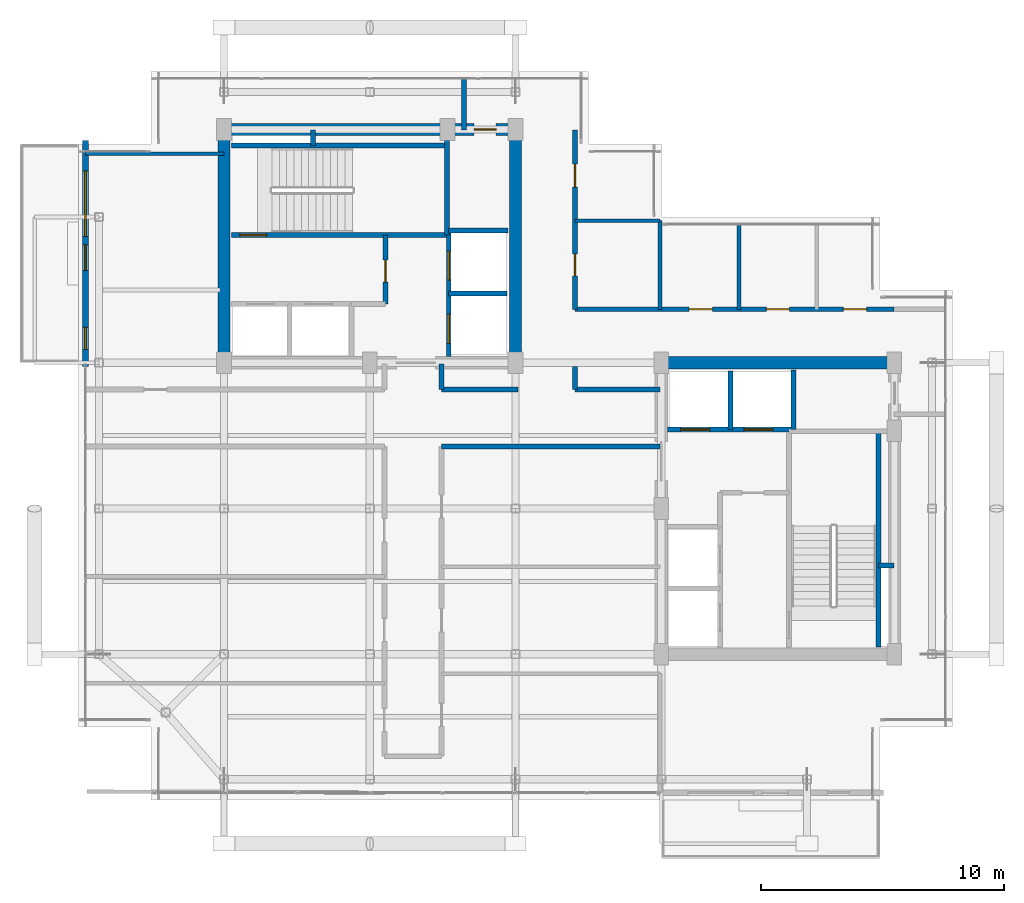
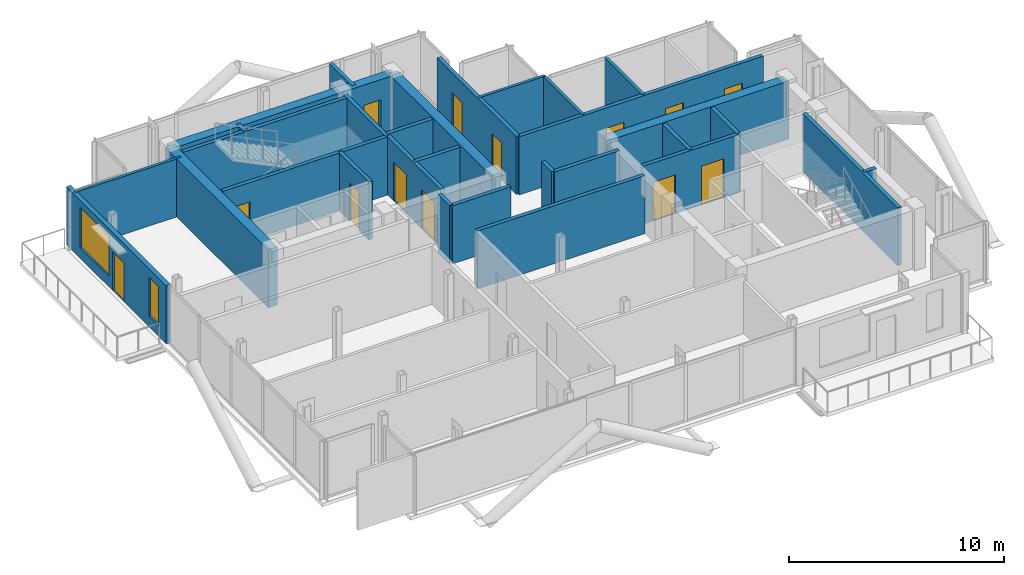
# One storey, part 16 of 19: 30 walls, 13 doors, 2 windows, 15 openings.
"""IFC4 building model written with IfcOpenShell, lengths in metres."""

from ifc_helpers import new_model, si_unit, direction, frame, frame_2d, origin, place, context, subcontext, project, spatial, rectangle, extrude, material, layer, layer_set, type_object, element, fill, save


model = new_model("IFC4")

# Units and contexts
model_context = context("Model", 3, precision=1e-05, world=origin(), true_north=direction((0.0, 1.0)))
body_context = subcontext(model_context, "Body", "Model", "MODEL_VIEW")
ifc_project = project(units=[si_unit("LENGTHUNIT", "METRE"), si_unit("AREAUNIT", "SQUARE_METRE"), si_unit("VOLUMEUNIT", "CUBIC_METRE"), si_unit("PLANEANGLEUNIT", "RADIAN"), si_unit("MASSUNIT", "GRAM", prefix="KILO"), si_unit("THERMODYNAMICTEMPERATUREUNIT", "KELVIN"), si_unit("POWERUNIT", "WATT")], contexts=[model_context])

# Site, building, storey
site_placement = place(None, origin())
site = spatial("IfcSite", under=ifc_project, at=site_placement, CompositionType="ELEMENT")
building_placement = place(site_placement, origin())
building = spatial("IfcBuilding", under=site, at=building_placement, Name="Svarakhadi Broadcast Tower", CompositionType="ELEMENT")
storey_placement = place(building_placement, frame((0.0, 0.0, 271.199951171875)))
storey = spatial("IfcBuildingStorey", under=building, at=storey_placement, Name="L68", CompositionType="ELEMENT", Elevation=271.199951171875)

# Walls
ifc_material_1 = material(Name="Double-Stud Acoustic Studio Partition STC-62", Category="gypsum")
ifc_layer_1 = layer(ifc_material_1, 0.199951171875)
ifc_layer_set_1 = layer_set([ifc_layer_1], Name="Double-Stud Acoustic Studio Partition STC-62")
wall_type_1 = type_object("IfcWallType", Name="Wall_Acoust_200", PredefinedType="PARTITIONING", material=ifc_layer_set_1)
wall_1_placement = place(storey_placement, frame((14.949951171875, 17.949951171875, 0.0), z_axis=(0.0, 0.0, 1.0), x_axis=(0.0, -1.0, 0.0)))
element("IfcWall", 1, at=wall_1_placement, inside=storey, type_object=wall_type_1, Name="L68 Upper Tower Concourse Wall", PredefinedType="PARTITIONING", context=body_context, shape_type="SweptSolid", body=[
    extrude(rectangle(XDim=1.050048828125, YDim=0.199951171875, at=frame_2d((0.52490234375, 0.0))), origin(), (0.0, 0.0, 1.0), 3.300048828125),
])
wall_2_placement = place(storey_placement, frame((14.949951171875, 16.89990234375, 0.0), z_axis=(0.0, 0.0, 1.0), x_axis=(1.0, 0.0, 0.0)))
element("IfcWall", 2, at=wall_2_placement, inside=storey, type_object=wall_type_1, Name="L68 Upper Tower Concourse Wall", PredefinedType="PARTITIONING", context=body_context, shape_type="SweptSolid", body=[
    extrude(rectangle(XDim=3.150146484375, YDim=0.199951171875, at=frame_2d((1.5751953125, 0.0))), origin(), (0.0, 0.0, 1.0), 3.300048828125),
])
wall_3_placement = place(storey_placement, frame((15.8798828125, 27.580078125, 0.0), z_axis=(0.0, 0.0, 1.0), x_axis=(0.0, 1.0, 0.0)))
element("IfcWall", 3, at=wall_3_placement, inside=storey, type_object=wall_type_1, Name="L68 Upper Tower Concourse Wall", PredefinedType="PARTITIONING", context=body_context, shape_type="SweptSolid", body=[
    extrude(rectangle(XDim=2.119873046875, YDim=0.199951171875, at=frame_2d((1.06005859375, 0.0))), origin(), (0.0, 0.0, 1.0), 3.300048828125),
])

# Wall, openings, doors
wall_4_placement = place(storey_placement, frame((20.449951171875, 27.580078125, 0.0), z_axis=(0.0, 0.0, 1.0), x_axis=(0.0, -1.0, 0.0)))
wall_4 = element("IfcWall", 4, at=wall_4_placement, inside=storey, type_object=wall_type_1, Name="L68 Upper Tower Concourse Wall", PredefinedType="PARTITIONING", context=body_context, shape_type="SweptSolid", body=[
    extrude(rectangle(XDim=7.380126953125, YDim=0.199951171875, at=frame_2d((3.68994140625, 0.0))), origin(), (0.0, 0.0, 1.0), 3.300048828125),
])
opening_1_placement = place(wall_4_placement, frame((5.10498046875, 0.0, 0.0)))
opening_1 = element("IfcOpeningElement", 5, at=opening_1_placement, cuts=wall_4, Name="Opening D-13", PredefinedType="OPENING", context=body_context, shape_type="SweptSolid", body=[
    extrude(rectangle(XDim=0.89990234375, YDim=2.10009765625, at=frame_2d((0.449951171875, 1.050048828125))), frame((0.0, 0.10986328125, 0.0), z_axis=(0.0, -1.0, 0.0), x_axis=(1.0, 0.0, 0.0)), (0.0, 0.0, 1.0), 0.219970703125),
])
opening_2_placement = place(wall_4_placement, frame((1.405029296875, 0.0, 0.0)))
opening_2 = element("IfcOpeningElement", 6, at=opening_2_placement, cuts=wall_4, Name="Opening D-06", PredefinedType="OPENING", context=body_context, shape_type="SweptSolid", body=[
    extrude(rectangle(XDim=0.949951171875, YDim=2.14990234375, at=frame_2d((0.47509765625, 1.074951171875))), frame((0.0, 0.10986328125, 0.0), z_axis=(0.0, -1.0, 0.0), x_axis=(1.0, 0.0, 0.0)), (0.0, 0.0, 1.0), 0.219970703125),
])
ifc_material_2 = material(Name="Solid-Core Teak Veneer Acoustic Timber Leaf", Category="wood")
door_type_1 = type_object("IfcDoorType", Name="Door_Closet_D13", OperationType="SINGLE_SWING_RIGHT", PredefinedType="DOOR", material=ifc_material_2)
door_1_placement = place(opening_1_placement, origin())
door_1 = element("IfcDoor", 7, at=door_1_placement, inside=storey, type_object=door_type_1, Name="L68 Accessible Visitor Washroom WC Door", OperationType="SINGLE_SWING_RIGHT", OverallHeight=2.10009765625, OverallWidth=0.89990234375, PredefinedType="DOOR", context=body_context, shape_type="SweptSolid", body=[
    extrude(rectangle(XDim=0.89990234375, YDim=2.10009765625, at=frame_2d((0.449951171875, 1.050048828125))), frame((0.0, 0.02490234375, 0.0), z_axis=(0.0, -1.0, 0.0), x_axis=(1.0, 0.0, 0.0)), (0.0, 0.0, 1.0), 0.050048828125),
])
fill(opening_1, door_1)
door_type_2 = type_object("IfcDoorType", Name="Door_Office_D06", OperationType="SINGLE_SWING_LEFT", PredefinedType="DOOR", material=ifc_material_2)
door_2_placement = place(opening_2_placement, origin())
door_2 = element("IfcDoor", 8, at=door_2_placement, inside=storey, type_object=door_type_2, Name="L68 Hotel Butler Service Pantry Door", OperationType="SINGLE_SWING_LEFT", OverallHeight=2.14990234375, OverallWidth=0.949951171875, PredefinedType="DOOR", context=body_context, shape_type="SweptSolid", body=[
    extrude(rectangle(XDim=0.949951171875, YDim=2.14990234375, at=frame_2d((0.47509765625, 1.074951171875))), frame((0.0, 0.02490234375, 0.0), z_axis=(0.0, -1.0, 0.0), x_axis=(1.0, 0.0, 0.0)), (0.0, 0.0, 1.0), 0.050048828125),
])
fill(opening_2, door_2)

wall_5_placement = place(storey_placement, frame((20.449951171875, 20.199951171875, 0.0), z_axis=(0.0, 0.0, 1.0), x_axis=(1.0, 0.0, 0.0)))
wall_5 = element("IfcWall", 9, at=wall_5_placement, inside=storey, type_object=wall_type_1, Name="L68 Upper Tower Concourse Wall", PredefinedType="PARTITIONING", context=body_context, shape_type="SweptSolid", body=[
    extrude(rectangle(XDim=13.130126953125, YDim=0.199951171875, at=frame_2d((6.56494140625, 0.0))), origin(), (0.0, 0.0, 1.0), 3.300048828125),
])
opening_3_placement = place(wall_5_placement, frame((4.699951171875, 0.0, 0.0)))
opening_3 = element("IfcOpeningElement", 10, at=opening_3_placement, cuts=wall_5, Name="Opening D-07", PredefinedType="OPENING", context=body_context, shape_type="SweptSolid", body=[
    extrude(rectangle(XDim=0.949951171875, YDim=2.14990234375, at=frame_2d((0.47509765625, 1.074951171875))), frame((0.0, 0.10986328125, 0.0), z_axis=(0.0, -1.0, 0.0), x_axis=(1.0, 0.0, 0.0)), (0.0, 0.0, 1.0), 0.219970703125),
])
opening_4_placement = place(wall_5_placement, frame((7.875, 0.0, 0.0)))
opening_4 = element("IfcOpeningElement", 11, at=opening_4_placement, cuts=wall_5, Name="Opening D-06", PredefinedType="OPENING", context=body_context, shape_type="SweptSolid", body=[
    extrude(rectangle(XDim=0.949951171875, YDim=2.14990234375, at=frame_2d((0.47509765625, 1.074951171875))), frame((0.0, 0.10986328125, 0.0), z_axis=(0.0, -1.0, 0.0), x_axis=(1.0, 0.0, 0.0)), (0.0, 0.0, 1.0), 0.219970703125),
])
opening_5_placement = place(wall_5_placement, frame((11.050048828125, 0.0, 0.0)))
opening_5 = element("IfcOpeningElement", 12, at=opening_5_placement, cuts=wall_5, Name="Opening D-07", PredefinedType="OPENING", context=body_context, shape_type="SweptSolid", body=[
    extrude(rectangle(XDim=0.949951171875, YDim=2.14990234375, at=frame_2d((0.47509765625, 1.074951171875))), frame((0.0, 0.10986328125, 0.0), z_axis=(0.0, -1.0, 0.0), x_axis=(1.0, 0.0, 0.0)), (0.0, 0.0, 1.0), 0.219970703125),
])
door_3_placement = place(opening_4_placement, origin())
door_3 = element("IfcDoor", 13, at=door_3_placement, inside=storey, type_object=door_type_2, Name="L68 Private Sommelier Tasting Pantry Door", OperationType="SINGLE_SWING_LEFT", OverallHeight=2.14990234375, OverallWidth=0.949951171875, PredefinedType="DOOR", context=body_context, shape_type="SweptSolid", body=[
    extrude(rectangle(XDim=0.949951171875, YDim=2.14990234375, at=frame_2d((0.47509765625, 1.074951171875))), frame((0.0, 0.02490234375, 0.0), z_axis=(0.0, -1.0, 0.0), x_axis=(1.0, 0.0, 0.0)), (0.0, 0.0, 1.0), 0.050048828125),
])
fill(opening_4, door_3)
door_type_3 = type_object("IfcDoorType", Name="Door_Office_D07", OperationType="SINGLE_SWING_RIGHT", PredefinedType="DOOR", material=ifc_material_2)
door_4_placement = place(opening_3_placement, origin())
door_4 = element("IfcDoor", 14, at=door_4_placement, inside=storey, type_object=door_type_3, Name="L68 Harbour Sky Club Reading Room Door", OperationType="SINGLE_SWING_RIGHT", OverallHeight=2.14990234375, OverallWidth=0.949951171875, PredefinedType="DOOR", context=body_context, shape_type="SweptSolid", body=[
    extrude(rectangle(XDim=0.949951171875, YDim=2.14990234375, at=frame_2d((0.47509765625, 1.074951171875))), frame((0.0, 0.02490234375, 0.0), z_axis=(0.0, -1.0, 0.0), x_axis=(1.0, 0.0, 0.0)), (0.0, 0.0, 1.0), 0.050048828125),
])
fill(opening_3, door_4)
door_5_placement = place(opening_5_placement, origin())
door_5 = element("IfcDoor", 15, at=door_5_placement, inside=storey, type_object=door_type_3, Name="L68 VIP Guest Concierge Office Door", OperationType="SINGLE_SWING_RIGHT", OverallHeight=2.14990234375, OverallWidth=0.949951171875, PredefinedType="DOOR", context=body_context, shape_type="SweptSolid", body=[
    extrude(rectangle(XDim=0.949951171875, YDim=2.14990234375, at=frame_2d((0.47509765625, 1.074951171875))), frame((0.0, 0.02490234375, 0.0), z_axis=(0.0, -1.0, 0.0), x_axis=(1.0, 0.0, 0.0)), (0.0, 0.0, 1.0), 0.050048828125),
])
fill(opening_5, door_5)

# Walls
wall_6_placement = place(storey_placement, frame((20.449951171875, 17.85009765625, 0.0), z_axis=(0.0, 0.0, 1.0), x_axis=(0.0, -1.0, 0.0)))
element("IfcWall", 16, at=wall_6_placement, inside=storey, type_object=wall_type_1, Name="L68 Upper Tower Concourse Wall", PredefinedType="PARTITIONING", context=body_context, shape_type="SweptSolid", body=[
    extrude(rectangle(XDim=0.9501953125, YDim=0.199951171875, at=frame_2d((0.47509765625, 0.0))), origin(), (0.0, 0.0, 1.0), 3.300048828125),
])
wall_7_placement = place(storey_placement, frame((20.449951171875, 16.89990234375, 0.0), z_axis=(0.0, 0.0, 1.0), x_axis=(1.0, 0.0, 0.0)))
element("IfcWall", 17, at=wall_7_placement, inside=storey, type_object=wall_type_1, Name="L68 Upper Tower Concourse Wall", PredefinedType="PARTITIONING", context=body_context, shape_type="SweptSolid", body=[
    extrude(rectangle(XDim=3.5, YDim=0.199951171875, at=frame_2d((1.75, 0.0))), origin(), (0.0, 0.0, 1.0), 3.300048828125),
])
wall_8_placement = place(storey_placement, frame((23.949951171875, 14.550048828125, 0.0), z_axis=(0.0, 0.0, 1.0), x_axis=(-1.0, 0.0, 0.0)))
element("IfcWall", 18, at=wall_8_placement, inside=storey, type_object=wall_type_1, Name="L68 Upper Tower Concourse Wall", PredefinedType="PARTITIONING", context=body_context, shape_type="SweptSolid", body=[
    extrude(rectangle(XDim=9.0, YDim=0.199951171875, at=frame_2d((4.5, 0.0))), origin(), (0.0, 0.0, 1.0), 3.300048828125),
])

# Wall, openings, door, windows
ifc_material_3 = material(Name="Concrete C40/50 (IS 456 M50)", Category="concrete")
ifc_layer_2 = layer(ifc_material_3, 0.239990234375)
ifc_layer_set_2 = layer_set([ifc_layer_2], Name="Concrete C40/50 (IS 456 M50)")
wall_type_2 = type_object("IfcWallType", Name="Wall_Ext_240", PredefinedType="SOLIDWALL", material=ifc_layer_set_2)
wall_9_placement = place(storey_placement, frame((0.300048828125, 17.85498046875, 0.0), z_axis=(0.0, 0.0, 1.0), x_axis=(0.0, 1.0, 0.0)))
wall_9 = element("IfcWall", 19, at=wall_9_placement, inside=storey, type_object=wall_type_2, Name="L68 West Tree Balcony Spandrel Wall", PredefinedType="SOLIDWALL", context=body_context, shape_type="SweptSolid", body=[
    extrude(rectangle(XDim=9.2900390625, YDim=0.239990234375, at=frame_2d((4.64501953125, 0.0))), origin(), (0.0, 0.0, 1.0), 3.300048828125),
])
opening_6_placement = place(wall_9_placement, frame((3.945068359375, 0.0, 0.0)))
opening_6 = element("IfcOpeningElement", 20, at=opening_6_placement, cuts=wall_9, Name="Opening ED-05", PredefinedType="OPENING", context=body_context, shape_type="SweptSolid", body=[
    extrude(rectangle(XDim=1.050048828125, YDim=2.199951171875, at=frame_2d((0.52490234375, 1.10009765625))), frame((0.0, 0.1298828125, 0.0), z_axis=(0.0, -1.0, 0.0), x_axis=(1.0, 0.0, 0.0)), (0.0, 0.0, 1.0), 0.260009765625),
])
opening_7_placement = place(wall_9_placement, frame((5.344970703125, 0.0, 0.60009765625)))
opening_7 = element("IfcOpeningElement", 21, at=opening_7_placement, cuts=wall_9, Name="Opening WN-07", PredefinedType="OPENING", context=body_context, shape_type="SweptSolid", body=[
    extrude(rectangle(XDim=2.699951171875, YDim=2.300048828125, at=frame_2d((1.35009765625, 1.14990234375))), frame((0.0, 0.1298828125, 0.0), z_axis=(0.0, -1.0, 0.0), x_axis=(1.0, 0.0, 0.0)), (0.0, 0.0, 1.0), 0.260009765625),
])
opening_8_placement = place(wall_9_placement, frame((0.699951171875, 0.0, 0.60009765625)))
opening_8 = element("IfcOpeningElement", 22, at=opening_8_placement, cuts=wall_9, Name="Opening WN-04", PredefinedType="OPENING", context=body_context, shape_type="SweptSolid", body=[
    extrude(rectangle(XDim=0.89990234375, YDim=2.199951171875, at=frame_2d((0.449951171875, 1.10009765625))), frame((0.0, 0.1298828125, 0.0), z_axis=(0.0, -1.0, 0.0), x_axis=(1.0, 0.0, 0.0)), (0.0, 0.0, 1.0), 0.260009765625),
])
ifc_material_4 = material(Name="Anodised Bronze Aluminium AA 6063-T6", Category="aluminium")
door_type_4 = type_object("IfcDoorType", Name="Door_Ext_ED05", OperationType="SINGLE_SWING_LEFT", PredefinedType="DOOR", material=ifc_material_4)
door_6_placement = place(opening_6_placement, origin())
door_6 = element("IfcDoor", 23, at=door_6_placement, inside=storey, type_object=door_type_4, Name="L68 West Tree Balcony Door", OperationType="SINGLE_SWING_LEFT", OverallHeight=2.199951171875, OverallWidth=1.050048828125, PredefinedType="DOOR", context=body_context, shape_type="SweptSolid", body=[
    extrude(rectangle(XDim=1.050048828125, YDim=2.199951171875, at=frame_2d((0.52490234375, 1.10009765625))), frame((0.0, 0.02490234375, 0.0), z_axis=(0.0, -1.0, 0.0), x_axis=(1.0, 0.0, 0.0)), (0.0, 0.0, 1.0), 0.050048828125),
])
fill(opening_6, door_6)
ifc_material_5 = material(Name="Double Low-E Laminated Acoustic Glass IGU 36 mm", Category="glass")
window_type_1 = type_object("IfcWindowType", Name="Win_Resi_WN07", PartitioningType="SINGLE_PANEL", PredefinedType="WINDOW", material=ifc_material_5)
window_1_placement = place(opening_7_placement, origin())
window_1 = element("IfcWindow", 24, at=window_1_placement, inside=storey, type_object=window_type_1, Name="L68 West Tree Balcony Window", OverallHeight=2.300048828125, OverallWidth=2.699951171875, PartitioningType="SINGLE_PANEL", PredefinedType="WINDOW", context=body_context, shape_type="SweptSolid", body=[
    extrude(rectangle(XDim=2.699951171875, YDim=2.300048828125, at=frame_2d((1.35009765625, 1.14990234375))), frame((0.0, 0.030029296875, 0.0), z_axis=(0.0, -1.0, 0.0), x_axis=(1.0, 0.0, 0.0)), (0.0, 0.0, 1.0), 0.06005859375),
])
fill(opening_7, window_1)
window_type_2 = type_object("IfcWindowType", Name="Win_Slot_WN04", PartitioningType="SINGLE_PANEL", PredefinedType="WINDOW", material=ifc_material_5)
window_2_placement = place(opening_8_placement, origin())
window_2 = element("IfcWindow", 25, at=window_2_placement, inside=storey, type_object=window_type_2, Name="L68 West Secondary Bedroom Slot Window", OverallHeight=2.199951171875, OverallWidth=0.89990234375, PartitioningType="SINGLE_PANEL", PredefinedType="WINDOW", context=body_context, shape_type="SweptSolid", body=[
    extrude(rectangle(XDim=0.89990234375, YDim=2.199951171875, at=frame_2d((0.449951171875, 1.10009765625))), frame((0.0, 0.030029296875, 0.0), z_axis=(0.0, -1.0, 0.0), x_axis=(1.0, 0.0, 0.0)), (0.0, 0.0, 1.0), 0.06005859375),
])
fill(opening_8, window_2)

# Walls
ifc_layer_3 = layer(ifc_material_3, 0.199951171875)
ifc_layer_set_3 = layer_set([ifc_layer_3], Name="Concrete C40/50 (IS 456 M50)")
wall_type_3 = type_object("IfcWallType", Name="Wall_Fire_200", PredefinedType="SOLIDWALL", material=ifc_layer_set_3)
for number, where, z_axis, x_axis, name in (
    (26, (9.659912109375, 26.93994140625, 0.0), (0.0, 0.0, 1.0), (0.0, 1.0, 0.0), "L68 Wet Riser Shaft East Wall"),
    (27, (32.93994140625, 9.659912109375, 0.0), (0.0, 0.0, 1.0), (1.0, 0.0, 0.0), "L68 HV Busduct Riser Shaft North Wall"),
):
    element("IfcWall", number, at=place(storey_placement, frame(where, z_axis=z_axis, x_axis=x_axis)), inside=storey, type_object=wall_type_3, Name=name, PredefinedType="SOLIDWALL", context=body_context, shape_type="SweptSolid", body=[
        extrude(rectangle(XDim=0.64013671875, YDim=0.199951171875, at=frame_2d((0.320068359375, 0.0))), origin(), (0.0, 0.0, 1.0), 3.300048828125),
    ])
ifc_material_6 = material(Name="Autoclaved Aerated Concrete Blockwork 150 mm", Category="masonry")
ifc_layer_4 = layer(ifc_material_6, 0.14990234375)
ifc_layer_set_4 = layer_set([ifc_layer_4], Name="Autoclaved Aerated Concrete Blockwork 150 mm")
wall_type_4 = type_object("IfcWallType", Name="Wall_Part_150", PredefinedType="PARTITIONING", material=ifc_layer_set_4)
wall_10_placement = place(storey_placement, frame((20.449951171875, 23.85009765625, 0.0), z_axis=(0.0, 0.0, 1.0), x_axis=(1.0, 0.0, 0.0)))
element("IfcWall", 28, at=wall_10_placement, inside=storey, type_object=wall_type_4, Name="L68 Accessible Visitor Washroom WC Wall", PredefinedType="PARTITIONING", context=body_context, shape_type="SweptSolid", body=[
    extrude(rectangle(XDim=3.5, YDim=0.14990234375, at=frame_2d((1.75, 0.0))), origin(), (0.0, 0.0, 1.0), 3.300048828125),
])
wall_11_placement = place(storey_placement, frame((23.949951171875, 20.199951171875, 0.0), z_axis=(0.0, 0.0, 1.0), x_axis=(0.0, 1.0, 0.0)))
element("IfcWall", 29, at=wall_11_placement, inside=storey, type_object=wall_type_4, Name="L68 Accessible Visitor Washroom WC Wall", PredefinedType="PARTITIONING", context=body_context, shape_type="SweptSolid", body=[
    extrude(rectangle(XDim=3.650146484375, YDim=0.14990234375, at=frame_2d((1.8251953125, 0.0))), origin(), (0.0, 0.0, 1.0), 3.300048828125),
])
wall_12_placement = place(storey_placement, frame((27.199951171875, 20.199951171875, 0.0), z_axis=(0.0, 0.0, 1.0), x_axis=(0.0, 1.0, 0.0)))
element("IfcWall", 30, at=wall_12_placement, inside=storey, type_object=wall_type_4, Name="L68 Harbour Sky Club Reading Room Wall", PredefinedType="PARTITIONING", context=body_context, shape_type="SweptSolid", body=[
    extrude(rectangle(XDim=3.5, YDim=0.14990234375, at=frame_2d((1.75, 0.0))), origin(), (0.0, 0.0, 1.0), 3.300048828125),
])
wall_13_placement = place(storey_placement, frame((0.300048828125, 26.60009765625, 0.0), z_axis=(0.0, 0.0, 1.0), x_axis=(1.0, 0.0, 0.0)))
element("IfcWall", 31, at=wall_13_placement, inside=storey, type_object=wall_type_4, Name="L68 Sky Library Reading Salon Wall", PredefinedType="PARTITIONING", context=body_context, shape_type="SweptSolid", body=[
    extrude(rectangle(XDim=5.699951171875, YDim=0.14990234375, at=frame_2d((2.85009765625, 0.0))), origin(), (0.0, 0.0, 1.0), 3.300048828125),
])

# Wall, opening, door
ifc_material_7 = material(Name="Concrete C50/60 (IS 456 M60)", Category="concrete")
ifc_layer_5 = layer(ifc_material_7, 0.199951171875)
ifc_layer_set_5 = layer_set([ifc_layer_5], Name="Concrete C50/60 (IS 456 M60)")
wall_type_5 = type_object("IfcWallType", Name="Wall_Shear_200", PredefinedType="SHEAR", material=ifc_layer_set_5)
wall_14_placement = place(storey_placement, frame((6.300048828125, 23.260009765625, 0.0), z_axis=(0.0, 0.0, 1.0), x_axis=(1.0, 0.0, 0.0)))
wall_14 = element("IfcWall", 32, at=wall_14_placement, inside=storey, type_object=wall_type_5, Name="L68 Stair ST-01 South RC Shaft Wall", PredefinedType="SHEAR", context=body_context, shape_type="SweptSolid", body=[
    extrude(rectangle(XDim=8.8798828125, YDim=0.199951171875, at=frame_2d((4.43994140625, 0.0))), origin(), (0.0, 0.0, 1.0), 3.300048828125),
])
opening_9_placement = place(wall_14_placement, frame((0.35009765625, 0.0, 0.0)))
opening_9 = element("IfcOpeningElement", 33, at=opening_9_placement, cuts=wall_14, Name="Opening D-01", PredefinedType="OPENING", context=body_context, shape_type="SweptSolid", body=[
    extrude(rectangle(XDim=1.10009765625, YDim=2.199951171875, at=frame_2d((0.550048828125, 1.10009765625))), frame((0.0, 0.10986328125, 0.0), z_axis=(0.0, -1.0, 0.0), x_axis=(1.0, 0.0, 0.0)), (0.0, 0.0, 1.0), 0.219970703125),
])
ifc_material_8 = material(Name="Galvanised Powder-Coated Fire-Rated Steel Leaf", Category="steel")
door_type_5 = type_object("IfcDoorType", Name="Door_Stair_D01", OperationType="SINGLE_SWING_LEFT", PredefinedType="DOOR", material=ifc_material_8)
door_7_placement = place(opening_9_placement, origin())
door_7 = element("IfcDoor", 34, at=door_7_placement, inside=storey, type_object=door_type_5, Name="L68 Protected Exit Stair ST-01 Fire Door", OperationType="SINGLE_SWING_LEFT", OverallHeight=2.199951171875, OverallWidth=1.10009765625, PredefinedType="DOOR", context=body_context, shape_type="SweptSolid", body=[
    extrude(rectangle(XDim=1.10009765625, YDim=2.199951171875, at=frame_2d((0.550048828125, 1.10009765625))), frame((0.0, 0.02490234375, 0.0), z_axis=(0.0, -1.0, 0.0), x_axis=(1.0, 0.0, 0.0)), (0.0, 0.0, 1.0), 0.050048828125),
])
fill(opening_9, door_7)

# Walls
wall_15_placement = place(storey_placement, frame((6.300048828125, 26.93994140625, 0.0), z_axis=(0.0, 0.0, 1.0), x_axis=(1.0, 0.0, 0.0)))
element("IfcWall", 35, at=wall_15_placement, inside=storey, type_object=wall_type_5, Name="L68 Stair ST-01 North RC Shaft Wall", PredefinedType="SHEAR", context=body_context, shape_type="SweptSolid", body=[
    extrude(rectangle(XDim=8.8798828125, YDim=0.199951171875, at=frame_2d((4.43994140625, 0.0))), origin(), (0.0, 0.0, 1.0), 3.300048828125),
])
wall_16_placement = place(storey_placement, frame((15.179931640625, 23.260009765625, 0.0), z_axis=(0.0, 0.0, 1.0), x_axis=(0.0, 1.0, 0.0)))
element("IfcWall", 36, at=wall_16_placement, inside=storey, type_object=wall_type_5, Name="L68 Stair ST-01 East RC Shaft Wall", PredefinedType="SHEAR", context=body_context, shape_type="SweptSolid", body=[
    extrude(rectangle(XDim=4.0400390625, YDim=0.199951171875, at=frame_2d((2.02001953125, 0.0))), origin(), (0.0, 0.0, 1.0), 3.300048828125),
])
wall_17_placement = place(storey_placement, frame((32.93994140625, 6.300048828125, 0.0), z_axis=(0.0, 0.0, 1.0), x_axis=(0.0, 1.0, 0.0)))
element("IfcWall", 37, at=wall_17_placement, inside=storey, type_object=wall_type_5, Name="L68 Stair ST-02 East RC Shaft Wall", PredefinedType="SHEAR", context=body_context, shape_type="SweptSolid", body=[
    extrude(rectangle(XDim=8.8798828125, YDim=0.199951171875, at=frame_2d((4.43994140625, 0.0))), origin(), (0.0, 0.0, 1.0), 3.300048828125),
])

# Wall, opening, door
wall_18_placement = place(storey_placement, frame((12.64990234375, 20.419921875, 0.0), z_axis=(0.0, 0.0, 1.0), x_axis=(0.0, 1.0, 0.0)))
wall_18 = element("IfcWall", 38, at=wall_18_placement, inside=storey, type_object=wall_type_5, Name="L68 West Firefighting Lobby East Wall", PredefinedType="SHEAR", context=body_context, shape_type="SweptSolid", body=[
    extrude(rectangle(XDim=2.840087890625, YDim=0.199951171875, at=frame_2d((1.419921875, 0.0))), origin(), (0.0, 0.0, 1.0), 3.300048828125),
])
opening_10_placement = place(wall_18_placement, frame((0.89990234375, 0.0, 0.0)))
opening_10 = element("IfcOpeningElement", 39, at=opening_10_placement, cuts=wall_18, Name="Opening D-04", PredefinedType="OPENING", context=body_context, shape_type="SweptSolid", body=[
    extrude(rectangle(XDim=0.89990234375, YDim=2.14990234375, at=frame_2d((0.449951171875, 1.074951171875))), frame((0.0, 0.10986328125, 0.0), z_axis=(0.0, -1.0, 0.0), x_axis=(1.0, 0.0, 0.0)), (0.0, 0.0, 1.0), 0.219970703125),
])
door_type_6 = type_object("IfcDoorType", Name="Door_Fire_D04", OperationType="SINGLE_SWING_RIGHT", PredefinedType="DOOR", material=ifc_material_8)
door_8_placement = place(opening_10_placement, origin())
door_8 = element("IfcDoor", 40, at=door_8_placement, inside=storey, type_object=door_type_6, Name="L68 West Firefighting Lobby Fire Door", OperationType="SINGLE_SWING_RIGHT", OverallHeight=2.14990234375, OverallWidth=0.89990234375, PredefinedType="DOOR", context=body_context, shape_type="SweptSolid", body=[
    extrude(rectangle(XDim=0.89990234375, YDim=2.14990234375, at=frame_2d((0.449951171875, 1.074951171875))), frame((0.0, 0.02490234375, 0.0), z_axis=(0.0, -1.0, 0.0), x_axis=(1.0, 0.0, 0.0)), (0.0, 0.0, 1.0), 0.050048828125),
])
fill(opening_10, door_8)

# Wall, openings, doors
wall_19_placement = place(storey_placement, frame((15.25, 18.25, 0.0), z_axis=(0.0, 0.0, 1.0), x_axis=(0.0, 1.0, 0.0)))
wall_19 = element("IfcWall", 41, at=wall_19_placement, inside=storey, type_object=wall_type_5, Name="L68 High-Rise Lift LF-13/14 West Shaft Wall", PredefinedType="SHEAR", context=body_context, shape_type="SweptSolid", body=[
    extrude(rectangle(XDim=5.199951171875, YDim=0.199951171875, at=frame_2d((2.60009765625, 0.0))), origin(), (0.0, 0.0, 1.0), 3.300048828125),
])
opening_11_placement = place(wall_19_placement, frame((0.550048828125, 0.0, 0.0)))
opening_11 = element("IfcOpeningElement", 42, at=opening_11_placement, cuts=wall_19, Name="Opening LD-02", PredefinedType="OPENING", context=body_context, shape_type="SweptSolid", body=[
    extrude(rectangle(XDim=1.199951171875, YDim=2.199951171875, at=frame_2d((0.60009765625, 1.10009765625))), frame((0.0, 0.10986328125, 0.0), z_axis=(0.0, -1.0, 0.0), x_axis=(1.0, 0.0, 0.0)), (0.0, 0.0, 1.0), 0.219970703125),
])
opening_12_placement = place(wall_19_placement, frame((3.14990234375, 0.0, 0.0)))
opening_12 = element("IfcOpeningElement", 43, at=opening_12_placement, cuts=wall_19, Name="Opening LD-02", PredefinedType="OPENING", context=body_context, shape_type="SweptSolid", body=[
    extrude(rectangle(XDim=1.199951171875, YDim=2.199951171875, at=frame_2d((0.60009765625, 1.10009765625))), frame((0.0, 0.10986328125, 0.0), z_axis=(0.0, -1.0, 0.0), x_axis=(1.0, 0.0, 0.0)), (0.0, 0.0, 1.0), 0.219970703125),
])
door_type_7 = type_object("IfcDoorType", Name="Door_Lift_LD02", OperationType="SLIDING_TO_RIGHT", PredefinedType="DOOR", material=ifc_material_8)
door_9_placement = place(opening_11_placement, origin())
door_9 = element("IfcDoor", 44, at=door_9_placement, inside=storey, type_object=door_type_7, Name="L68 High-Rise Lift LF-13 Landing Door", OperationType="SLIDING_TO_RIGHT", OverallHeight=2.199951171875, OverallWidth=1.199951171875, PredefinedType="DOOR", context=body_context, shape_type="SweptSolid", body=[
    extrude(rectangle(XDim=1.199951171875, YDim=2.199951171875, at=frame_2d((0.60009765625, 1.10009765625))), frame((0.0, 0.02490234375, 0.0), z_axis=(0.0, -1.0, 0.0), x_axis=(1.0, 0.0, 0.0)), (0.0, 0.0, 1.0), 0.050048828125),
])
fill(opening_11, door_9)
door_10_placement = place(opening_12_placement, origin())
door_10 = element("IfcDoor", 45, at=door_10_placement, inside=storey, type_object=door_type_7, Name="L68 High-Rise Lift LF-14 Landing Door", OperationType="SLIDING_TO_RIGHT", OverallHeight=2.199951171875, OverallWidth=1.199951171875, PredefinedType="DOOR", context=body_context, shape_type="SweptSolid", body=[
    extrude(rectangle(XDim=1.199951171875, YDim=2.199951171875, at=frame_2d((0.60009765625, 1.10009765625))), frame((0.0, 0.02490234375, 0.0), z_axis=(0.0, -1.0, 0.0), x_axis=(1.0, 0.0, 0.0)), (0.0, 0.0, 1.0), 0.050048828125),
])
fill(opening_12, door_10)

# Walls
wall_20_placement = place(storey_placement, frame((15.25, 20.85009765625, 0.0), z_axis=(0.0, 0.0, 1.0), x_axis=(1.0, 0.0, 0.0)))
element("IfcWall", 46, at=wall_20_placement, inside=storey, type_object=wall_type_5, Name="L68 High-Rise Lift LF-13/14 Divider", PredefinedType="SHEAR", context=body_context, shape_type="SweptSolid", body=[
    extrude(rectangle(XDim=2.39990234375, YDim=0.199951171875, at=frame_2d((1.199951171875, 0.0))), origin(), (0.0, 0.0, 1.0), 3.300048828125),
])
wall_21_placement = place(storey_placement, frame((15.25, 23.449951171875, 0.0), z_axis=(0.0, 0.0, 1.0), x_axis=(1.0, 0.0, 0.0)))
element("IfcWall", 47, at=wall_21_placement, inside=storey, type_object=wall_type_5, Name="L68 High-Rise Lift LF-13/14 North Wall", PredefinedType="SHEAR", context=body_context, shape_type="SweptSolid", body=[
    extrude(rectangle(XDim=2.449951171875, YDim=0.199951171875, at=frame_2d((1.22509765625, 0.0))), origin(), (0.0, 0.0, 1.0), 3.300048828125),
])

# Wall, openings, doors
wall_22_placement = place(storey_placement, frame((24.25, 15.25, 0.0), z_axis=(0.0, 0.0, 1.0), x_axis=(1.0, 0.0, 0.0)))
wall_22 = element("IfcWall", 48, at=wall_22_placement, inside=storey, type_object=wall_type_5, Name="L68 High-Rise Lift LF-15/16 South Shaft Wall", PredefinedType="SHEAR", context=body_context, shape_type="SweptSolid", body=[
    extrude(rectangle(XDim=5.199951171875, YDim=0.199951171875, at=frame_2d((2.60009765625, 0.0))), origin(), (0.0, 0.0, 1.0), 3.300048828125),
])
opening_13_placement = place(wall_22_placement, frame((0.550048828125, 0.0, 0.0)))
opening_13 = element("IfcOpeningElement", 49, at=opening_13_placement, cuts=wall_22, Name="Opening LD-02", PredefinedType="OPENING", context=body_context, shape_type="SweptSolid", body=[
    extrude(rectangle(XDim=1.199951171875, YDim=2.199951171875, at=frame_2d((0.60009765625, 1.10009765625))), frame((0.0, 0.10986328125, 0.0), z_axis=(0.0, -1.0, 0.0), x_axis=(1.0, 0.0, 0.0)), (0.0, 0.0, 1.0), 0.219970703125),
])
opening_14_placement = place(wall_22_placement, frame((3.14990234375, 0.0, 0.0)))
opening_14 = element("IfcOpeningElement", 50, at=opening_14_placement, cuts=wall_22, Name="Opening LD-02", PredefinedType="OPENING", context=body_context, shape_type="SweptSolid", body=[
    extrude(rectangle(XDim=1.199951171875, YDim=2.199951171875, at=frame_2d((0.60009765625, 1.10009765625))), frame((0.0, 0.10986328125, 0.0), z_axis=(0.0, -1.0, 0.0), x_axis=(1.0, 0.0, 0.0)), (0.0, 0.0, 1.0), 0.219970703125),
])
door_11_placement = place(opening_13_placement, origin())
door_11 = element("IfcDoor", 51, at=door_11_placement, inside=storey, type_object=door_type_7, Name="L68 High-Rise Lift LF-15 Landing Door", OperationType="SLIDING_TO_RIGHT", OverallHeight=2.199951171875, OverallWidth=1.199951171875, PredefinedType="DOOR", context=body_context, shape_type="SweptSolid", body=[
    extrude(rectangle(XDim=1.199951171875, YDim=2.199951171875, at=frame_2d((0.60009765625, 1.10009765625))), frame((0.0, 0.02490234375, 0.0), z_axis=(0.0, -1.0, 0.0), x_axis=(1.0, 0.0, 0.0)), (0.0, 0.0, 1.0), 0.050048828125),
])
fill(opening_13, door_11)
door_12_placement = place(opening_14_placement, origin())
door_12 = element("IfcDoor", 52, at=door_12_placement, inside=storey, type_object=door_type_7, Name="L68 High-Rise Lift LF-16 Landing Door", OperationType="SLIDING_TO_RIGHT", OverallHeight=2.199951171875, OverallWidth=1.199951171875, PredefinedType="DOOR", context=body_context, shape_type="SweptSolid", body=[
    extrude(rectangle(XDim=1.199951171875, YDim=2.199951171875, at=frame_2d((0.60009765625, 1.10009765625))), frame((0.0, 0.02490234375, 0.0), z_axis=(0.0, -1.0, 0.0), x_axis=(1.0, 0.0, 0.0)), (0.0, 0.0, 1.0), 0.050048828125),
])
fill(opening_14, door_12)

# Walls
wall_23_placement = place(storey_placement, frame((26.85009765625, 15.25, 0.0), z_axis=(0.0, 0.0, 1.0), x_axis=(0.0, 1.0, 0.0)))
element("IfcWall", 53, at=wall_23_placement, inside=storey, type_object=wall_type_5, Name="L68 High-Rise Lift LF-15/16 Divider", PredefinedType="SHEAR", context=body_context, shape_type="SweptSolid", body=[
    extrude(rectangle(XDim=2.39990234375, YDim=0.199951171875, at=frame_2d((1.199951171875, 0.0))), origin(), (0.0, 0.0, 1.0), 3.300048828125),
])
wall_24_placement = place(storey_placement, frame((29.449951171875, 15.25, 0.0), z_axis=(0.0, 0.0, 1.0), x_axis=(0.0, 1.0, 0.0)))
element("IfcWall", 54, at=wall_24_placement, inside=storey, type_object=wall_type_5, Name="L68 High-Rise Lift LF-15/16 East Wall", PredefinedType="SHEAR", context=body_context, shape_type="SweptSolid", body=[
    extrude(rectangle(XDim=2.449951171875, YDim=0.199951171875, at=frame_2d((1.22509765625, 0.0))), origin(), (0.0, 0.0, 1.0), 3.300048828125),
])

# Wall, opening, door
ifc_layer_6 = layer(ifc_material_7, 0.5)
ifc_layer_set_6 = layer_set([ifc_layer_6], Name="Concrete C50/60 (IS 456 M60)")
wall_type_6 = type_object("IfcWallType", Name="Wall_Shear_500", PredefinedType="SHEAR", material=ifc_layer_set_6)
wall_25_placement = place(storey_placement, frame((6.0, 27.60009765625, 0.0), z_axis=(0.0, 0.0, 1.0), x_axis=(1.0, 0.0, 0.0)))
wall_25 = element("IfcWall", 55, at=wall_25_placement, inside=storey, type_object=wall_type_6, Name="L68 West Core North Shear Wall", PredefinedType="SHEAR", context=body_context, shape_type="SweptSolid", body=[
    extrude(rectangle(XDim=12.0, YDim=0.5, at=frame_2d((6.0, 0.0))), origin(), (0.0, 0.0, 1.0), 3.300048828125),
])
opening_15_placement = place(wall_25_placement, frame((10.300048828125, 0.0, 0.0)))
opening_15 = element("IfcOpeningElement", 56, at=opening_15_placement, cuts=wall_25, Name="Opening D-03", PredefinedType="OPENING", context=body_context, shape_type="SweptSolid", body=[
    extrude(rectangle(XDim=0.89990234375, YDim=2.14990234375, at=frame_2d((0.449951171875, 1.074951171875))), frame((0.0, 0.260009765625, 0.0), z_axis=(0.0, -1.0, 0.0), x_axis=(1.0, 0.0, 0.0)), (0.0, 0.0, 1.0), 0.52001953125),
])
door_type_8 = type_object("IfcDoorType", Name="Door_Fire_D03", OperationType="SINGLE_SWING_LEFT", PredefinedType="DOOR", material=ifc_material_8)
door_13_placement = place(opening_15_placement, origin())
door_13 = element("IfcDoor", 57, at=door_13_placement, inside=storey, type_object=door_type_8, Name="L68 Core Service Room West Door", OperationType="SINGLE_SWING_LEFT", OverallHeight=2.14990234375, OverallWidth=0.89990234375, PredefinedType="DOOR", context=body_context, shape_type="SweptSolid", body=[
    extrude(rectangle(XDim=0.89990234375, YDim=2.14990234375, at=frame_2d((0.449951171875, 1.074951171875))), frame((0.0, 0.02490234375, 0.0), z_axis=(0.0, -1.0, 0.0), x_axis=(1.0, 0.0, 0.0)), (0.0, 0.0, 1.0), 0.050048828125),
])
fill(opening_15, door_13)

# Walls
for number, where, z_axis, x_axis, name in (
    (58, (6.0, 18.0, 0.0), (0.0, 0.0, 1.0), (0.0, 1.0, 0.0), "L68 West Core West Shear Wall"),
    (59, (18.0, 18.0, 0.0), (0.0, 0.0, 1.0), (0.0, 1.0, 0.0), "L68 West Core East Shear Wall"),
    (60, (24.0, 18.0, 0.0), (0.0, 0.0, 1.0), (1.0, 0.0, 0.0), "L68 East Core North Shear Wall"),
):
    element("IfcWall", number, at=place(storey_placement, frame(where, z_axis=z_axis, x_axis=x_axis)), inside=storey, type_object=wall_type_6, Name=name, PredefinedType="SHEAR", context=body_context, shape_type="SweptSolid", body=[
        extrude(rectangle(XDim=9.60009765625, YDim=0.5, at=frame_2d((4.800048828125, 0.0))), origin(), (0.0, 0.0, 1.0), 3.300048828125),
    ])

save(model, "model.ifc")
